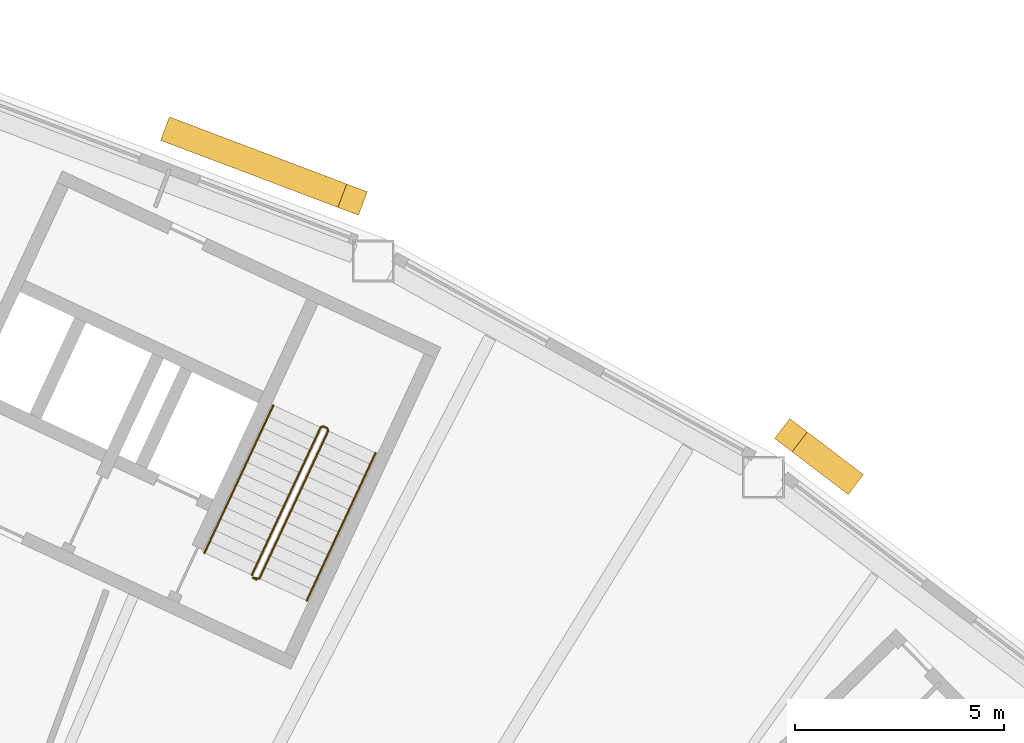
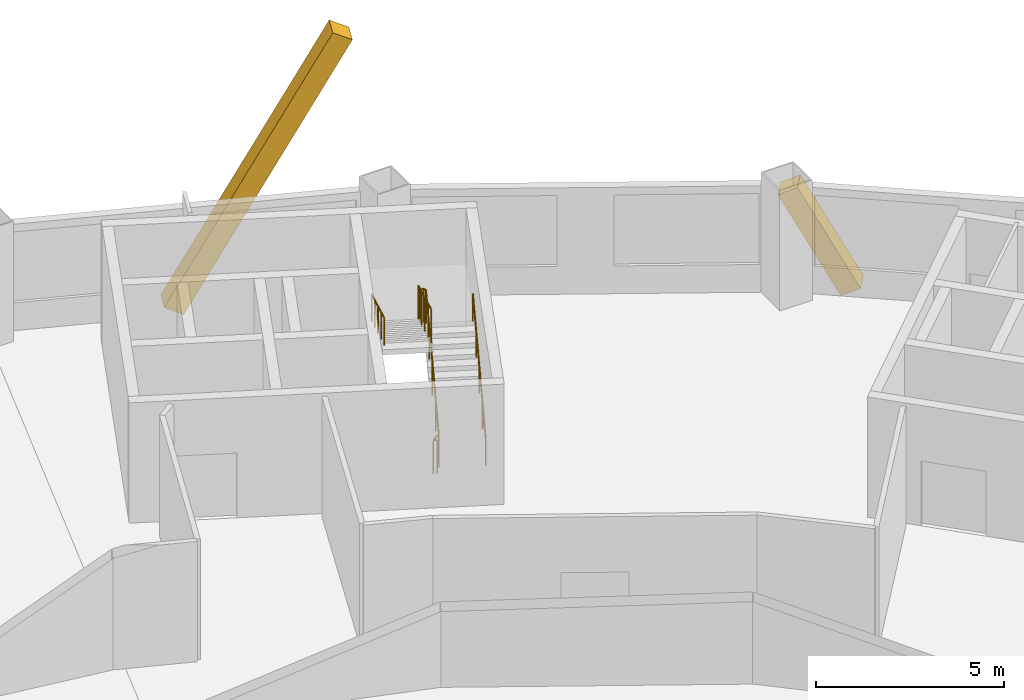
# One storey, part 11 of 11: 3 railings, 2 coverings.
"""IFC4 building model written with IfcOpenShell, lengths in metres."""

from ifc_helpers import new_model, si_unit, direction, frame, origin, origin_2d, place, context, subcontext, project, spatial, rectangle, circle, extrude, material, material_profile, profile_set, type_object, element, save


model = new_model("IFC4")

# Units and contexts
model_context = context("Model", 3, precision=1e-05, world=origin(), true_north=direction((0.0, 1.0)))
body_context = subcontext(model_context, "Body", "Model", "MODEL_VIEW")
ifc_project = project(units=[si_unit("LENGTHUNIT", "METRE"), si_unit("AREAUNIT", "SQUARE_METRE"), si_unit("VOLUMEUNIT", "CUBIC_METRE"), si_unit("PLANEANGLEUNIT", "RADIAN"), si_unit("MASSUNIT", "GRAM", prefix="KILO")], contexts=[model_context])

# Site, building, storey
site_placement = place(None, origin())
site = spatial("IfcSite", under=ifc_project, at=site_placement, CompositionType="ELEMENT")
building_placement = place(site_placement, origin())
building = spatial("IfcBuilding", under=site, at=building_placement, Name="Tuul Gate Civic Tower", CompositionType="ELEMENT")
storey_placement = place(building_placement, frame((0.0, 0.0, 146.60009765625)))
storey = spatial("IfcBuildingStorey", under=building, at=storey_placement, Name="Level 33", CompositionType="ELEMENT", Elevation=146.60009765625)

# Railings
ifc_material_1 = material(Name="Painted steel", Category="steel")
railing_type_1 = type_object("IfcRailingType", Name="Stair guard", PredefinedType="GUARDRAIL", material=ifc_material_1)
railing_1_placement = place(storey_placement, frame((33.645751953125, -5.238525390625, 0.0)))
element("IfcRailing", 1, at=railing_1_placement, inside=storey, type_object=railing_type_1, Name="Level 33 ST-4 stair guard 1", PredefinedType="GUARDRAIL", context=body_context, shape_type="SweptSolid", body=[
    extrude(circle(Radius=0.02392578125, at=origin_2d()), frame((0.0, 0.0, 1.076171875), z_axis=(-0.906307919131, 0.422617978463, 0.0), x_axis=(-0.422617978463, -0.906307919131, 0.0)), (0.0, 0.0, 1.0), 0.099853515625),
    extrude(circle(Radius=0.02392578125, at=origin_2d()), frame((-0.090576171875, 0.042236328125, 1.076171875), z_axis=(0.720735628292, -0.082946246491, 0.688229666829), x_axis=(0.114330889033, 0.993442724979, 0.0)), (0.0, 0.0, 1.0), 0.2177734375),
    extrude(circle(Radius=0.02392578125, at=origin_2d()), frame((0.06640625, 0.024169921875, 1.22607421875), z_axis=(0.377946903738, 0.810654114417, 0.447209173356), x_axis=(-0.906336612539, 0.422556439746, 0.0)), (0.0, 0.0, 1.0), 4.3603515625),
    extrude(circle(Radius=0.02392578125, at=origin_2d()), frame((1.71435546875, 3.558837890625, 3.17578125), z_axis=(-0.342020437038, 0.939692513883, 0.0), x_axis=(-0.939692513883, -0.342020437038, 0.0)), (0.0, 0.0, 1.0), 0.070556640625),
    extrude(circle(Radius=0.02392578125, at=origin_2d()), frame((1.690185546875, 3.625244140625, 3.17578125), z_axis=(-0.906307919131, 0.422617978463, 0.0), x_axis=(-0.422617978463, -0.906307919131, 0.0)), (0.0, 0.0, 1.0), 0.099853515625),
    extrude(circle(Radius=0.02392578125, at=origin_2d()), frame((1.599609375, 3.66748046875, 3.17578125), z_axis=(-0.400168791901, -0.145649670582, 0.904793408159), x_axis=(0.342020437038, -0.939692513883, 0.0)), (0.0, 0.0, 1.0), 0.166015625),
    extrude(circle(Radius=0.02392578125, at=origin_2d()), frame((1.533203125, 3.643310546875, 3.326171875), z_axis=(-0.377946903738, -0.810654114417, 0.447209173356), x_axis=(0.906336612539, -0.422556439746, 0.0)), (0.0, 0.0, 1.0), 4.3603515625),
    extrude(circle(Radius=0.02099609375, at=origin_2d()), origin(), (0.0, 0.0, 1.0), 1.052001953125),
    extrude(circle(Radius=0.02099609375, at=origin_2d()), frame((-0.090576171875, 0.042236328125, 0.0)), (0.0, 0.0, 1.0), 1.052001953125),
    extrude(circle(Radius=0.02099609375, at=origin_2d()), frame((0.06640625, 0.024169921875, 0.14990234375)), (0.0, 0.0, 1.0), 1.052001953125),
    extrude(circle(Radius=0.02099609375, at=origin_2d()), frame((0.478515625, 0.90771484375, 0.637451171875)), (0.0, 0.0, 1.0), 1.052001953125),
    extrude(circle(Radius=0.02099609375, at=origin_2d()), frame((0.890380859375, 1.79150390625, 1.125)), (0.0, 0.0, 1.0), 1.052001953125),
    extrude(circle(Radius=0.02099609375, at=origin_2d()), frame((1.30224609375, 2.67529296875, 1.6123046875)), (0.0, 0.0, 1.0), 1.052001953125),
    extrude(circle(Radius=0.02099609375, at=origin_2d()), frame((1.71435546875, 3.558837890625, 2.099853515625)), (0.0, 0.0, 1.0), 1.052001953125),
    extrude(circle(Radius=0.02099609375, at=origin_2d()), frame((1.690185546875, 3.625244140625, 2.099853515625)), (0.0, 0.0, 1.0), 1.052001953125),
    extrude(circle(Radius=0.02099609375, at=origin_2d()), frame((1.599609375, 3.66748046875, 2.099853515625)), (0.0, 0.0, 1.0), 1.052001953125),
    extrude(circle(Radius=0.02099609375, at=origin_2d()), frame((1.533203125, 3.643310546875, 2.25)), (0.0, 0.0, 1.0), 1.052001953125),
    extrude(circle(Radius=0.02099609375, at=origin_2d()), frame((1.12109375, 2.759765625, 2.737548828125)), (0.0, 0.0, 1.0), 1.052001953125),
    extrude(circle(Radius=0.02099609375, at=origin_2d()), frame((0.709228515625, 1.8759765625, 3.22509765625)), (0.0, 0.0, 1.0), 1.052001953125),
    extrude(circle(Radius=0.02099609375, at=origin_2d()), frame((0.29736328125, 0.9921875, 3.71240234375)), (0.0, 0.0, 1.0), 1.052001953125),
    extrude(circle(Radius=0.02099609375, at=origin_2d()), frame((-0.11474609375, 0.108642578125, 4.199951171875)), (0.0, 0.0, 1.0), 1.052001953125),
])
ifc_material_2 = material(Name="Painted steel", Category="steel")
railing_type_2 = type_object("IfcRailingType", Name="Stair handrail", PredefinedType="HANDRAIL", material=ifc_material_2)
railing_2_placement = place(storey_placement, frame((34.844970703125, -5.74267578125, 0.14990234375)))
element("IfcRailing", 2, at=railing_2_placement, inside=storey, type_object=railing_type_2, Name="Level 33 ST-4 stair handrail 1", PredefinedType="HANDRAIL", context=body_context, shape_type="SweptSolid", body=[
    extrude(circle(Radius=0.02392578125, at=origin_2d()), frame((0.0, 0.0, 0.8759765625), z_axis=(0.377994896215, 0.810636958585, 0.447199709091), x_axis=(-0.906312636903, 0.422607861012, 0.0)), (0.0, 0.0, 1.0), 4.3603515625),
    extrude(circle(Radius=0.02099609375, at=origin_2d()), origin(), (0.0, 0.0, 1.0), 0.851806640625),
    extrude(circle(Radius=0.02099609375, at=origin_2d()), frame((0.412109375, 0.8837890625, 0.487548828125)), (0.0, 0.0, 1.0), 0.851806640625),
    extrude(circle(Radius=0.02099609375, at=origin_2d()), frame((0.82421875, 1.767333984375, 0.97509765625)), (0.0, 0.0, 1.0), 0.851806640625),
    extrude(circle(Radius=0.02099609375, at=origin_2d()), frame((1.236083984375, 2.65087890625, 1.46240234375)), (0.0, 0.0, 1.0), 0.851806640625),
    extrude(circle(Radius=0.02099609375, at=origin_2d()), frame((1.648193359375, 3.53466796875, 1.949951171875)), (0.0, 0.0, 1.0), 0.851806640625),
])
railing_3_placement = place(storey_placement, frame((34.046142578125, -1.06689453125, 2.25)))
element("IfcRailing", 3, at=railing_3_placement, inside=storey, type_object=railing_type_2, Name="Level 33 ST-4 stair handrail 2", PredefinedType="HANDRAIL", context=body_context, shape_type="SweptSolid", body=[
    extrude(circle(Radius=0.02392578125, at=origin_2d()), frame((0.0, 0.0, 0.8759765625), z_axis=(-0.377994896215, -0.810636958585, 0.447199709091), x_axis=(0.906312636903, -0.422607861012, 0.0)), (0.0, 0.0, 1.0), 4.3603515625),
    extrude(circle(Radius=0.02099609375, at=origin_2d()), origin(), (0.0, 0.0, 1.0), 0.851806640625),
    extrude(circle(Radius=0.02099609375, at=origin_2d()), frame((-0.412109375, -0.8837890625, 0.487548828125)), (0.0, 0.0, 1.0), 0.851806640625),
    extrude(circle(Radius=0.02099609375, at=origin_2d()), frame((-0.82421875, -1.767333984375, 0.97509765625)), (0.0, 0.0, 1.0), 0.851806640625),
    extrude(circle(Radius=0.02099609375, at=origin_2d()), frame((-1.236083984375, -2.65087890625, 1.46240234375)), (0.0, 0.0, 1.0), 0.851806640625),
    extrude(circle(Radius=0.02099609375, at=origin_2d()), frame((-1.648193359375, -3.53466796875, 1.949951171875)), (0.0, 0.0, 1.0), 0.851806640625),
])

# Coverings
ifc_material_3 = material(Name="Terracotta baguette", Category="masonry")
ifc_material_profile = material_profile(ifc_material_3, rectangle(XDim=0.60009765625, YDim=0.60009765625, at=origin_2d()), Name="Terracotta baguette screen frame")
ifc_profile_set = profile_set([ifc_material_profile], Name="Terracotta baguette")
covering_type = type_object("IfcCoveringType", Name="Terracotta baguette screen frame", PredefinedType="CLADDING", material=ifc_profile_set)
covering_1_placement = place(storey_placement, frame((47.77734375, -2.80615234375, -0.35009765625), z_axis=(-0.378068215842, 0.28784582991, 0.879891585579), x_axis=(-0.605768691074, -0.795640806467, 0.0)))
element("IfcCovering", 4, at=covering_1_placement, inside=storey, type_object=covering_type, Name="Baguette 39", PredefinedType="CLADDING", context=body_context, shape_type="SweptSolid", body=[
    extrude(rectangle(XDim=0.60009765625, YDim=0.60009765625, at=origin_2d()), origin(), (0.0, 0.0, 1.0), 3.552978515625),
])
covering_2_placement = place(storey_placement, frame((35.943115234375, 3.85546875, 8.0498046875), z_axis=(-0.444447097075, 0.168096597565, -0.879892216006), x_axis=(-0.353758489664, -0.935336800832, 0.0)))
element("IfcCovering", 5, at=covering_2_placement, inside=storey, type_object=covering_type, Name="Baguette 51", PredefinedType="CLADDING", context=body_context, shape_type="SweptSolid", body=[
    extrude(rectangle(XDim=0.60009765625, YDim=0.60009765625, at=origin_2d()), origin(), (0.0, 0.0, 1.0), 9.546630859375),
])

save(model, "model.ifc")
